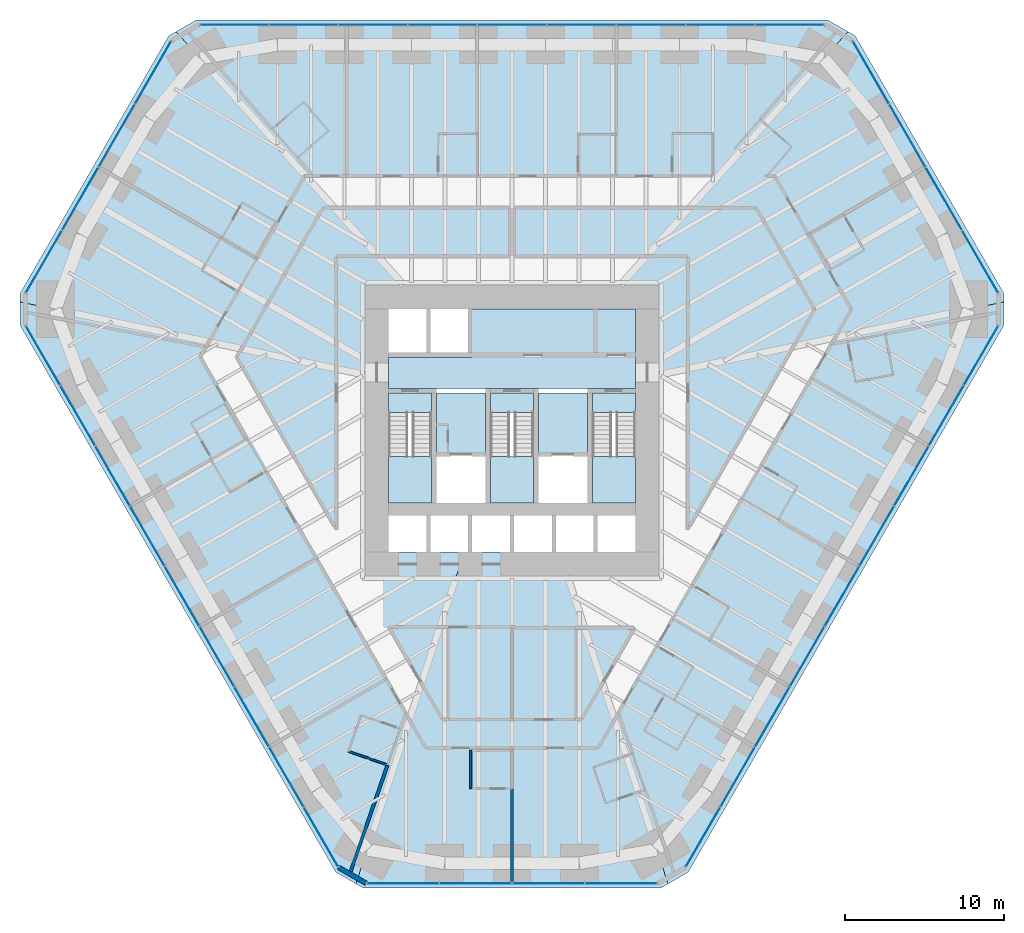
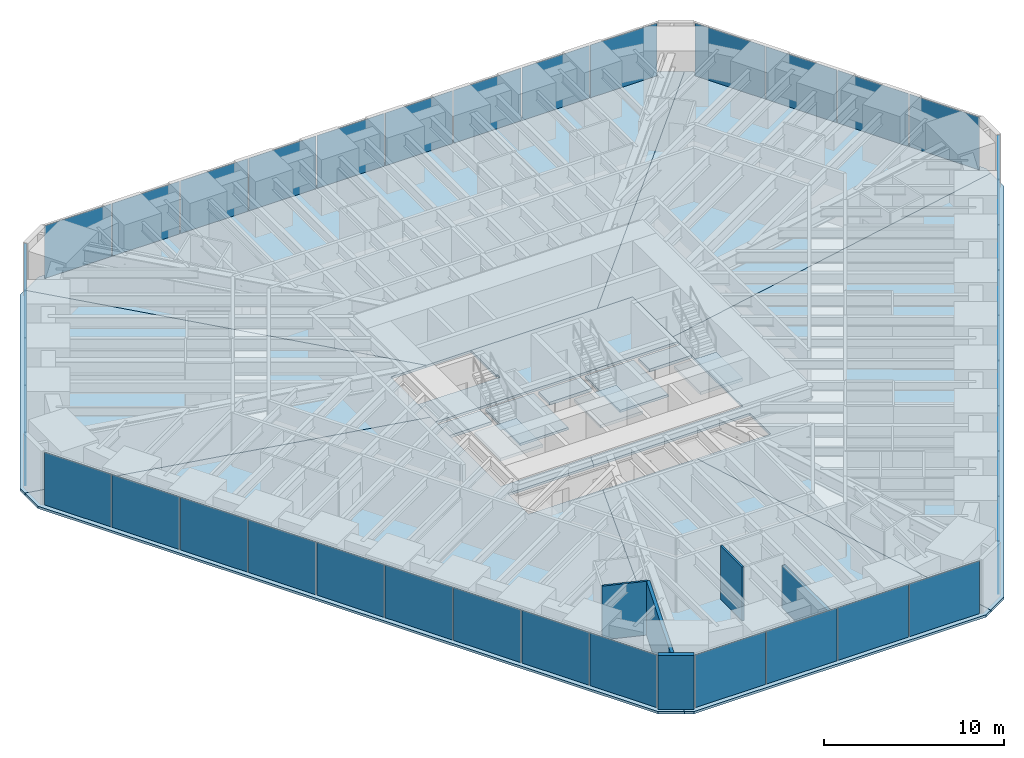
# One storey, part 10 of 17: 39 plates, 15 slabs, 5 walls, 9 elements without a shape of their own.
"""IFC4 building model written with IfcOpenShell, lengths in metres."""

from ifc_helpers import new_model, si_unit, direction, frame, frame_2d, origin, origin_2d, place, context, subcontext, project, spatial, polyline, rectangle, outline, extrude, material, layer, layer_set, type_object, element, aggregate, save


model = new_model("IFC4")

# Units and contexts
model_context = context("Model", 3, precision=1e-05, world=origin(), true_north=direction((0.0, 1.0)))
body_context = subcontext(model_context, "Body", "Model", "MODEL_VIEW")
ifc_project = project(units=[si_unit("LENGTHUNIT", "METRE"), si_unit("AREAUNIT", "SQUARE_METRE"), si_unit("VOLUMEUNIT", "CUBIC_METRE"), si_unit("PLANEANGLEUNIT", "RADIAN"), si_unit("MASSUNIT", "GRAM", prefix="KILO")], contexts=[model_context])

# Site, building, storey
site_placement = place(None, origin())
site = spatial("IfcSite", under=ifc_project, at=site_placement, CompositionType="ELEMENT")
building_placement = place(site_placement, origin())
building = spatial("IfcBuilding", under=site, at=building_placement, Name="Sandreach Pilgrim Tower", CompositionType="ELEMENT")
storey_placement = place(building_placement, frame((0.0, 0.0, 38.199951171875)))
storey = spatial("IfcBuildingStorey", under=building, at=storey_placement, Name="L08", CompositionType="ELEMENT", Elevation=38.199951171875)

# Curtain wall, plates
ifc_material_1 = material(Name="Aluminium framed curtain wall", Category="aluminium")
curtain_wall_type = type_object("IfcCurtainWallType", Name="Hostel tower curtain wall", PredefinedType="NOTDEFINED", material=ifc_material_1)
curtain_wall_1_placement = place(storey_placement, origin())
curtain_wall_1 = element("IfcCurtainWall", 1, at=curtain_wall_1_placement, inside=storey, type_object=curtain_wall_type, Name="CW-1 L08 N", PredefinedType="NOTDEFINED")
ifc_material_2 = material(Name="Insulating glass unit 6 heat-strengthened + 12 argon + 6 heat-strengthened", Category="glass")
ifc_layer_1 = layer(ifc_material_2, 0.02392578125)
ifc_layer_set_1 = layer_set([ifc_layer_1], Name="CW-1 panel")
plate_type = type_object("IfcPlateType", Name="CW-1 panel", PredefinedType="CURTAIN_PANEL", material=ifc_layer_set_1)
plate_1_placement = place(storey_placement, frame((-17.469970703125, 23.94873046875, 0.0), z_axis=(0.0, 0.0, 1.0), x_axis=(1.0, 0.0, 0.0)))
plate_1 = element("IfcPlate", 2, at=plate_1_placement, type_object=plate_type, Name="CW-1 panel 1", PredefinedType="CURTAIN_PANEL", context=body_context, shape_type="SweptSolid", body=[
    extrude(rectangle(XDim=4.274169921875, YDim=0.02392578125, at=origin_2d()), origin(), (0.0, 0.0, 1.0), 3.570068359375),
])
plate_2_placement = place(storey_placement, frame((-13.11474609375, 23.94873046875, 0.0), z_axis=(0.0, 0.0, 1.0), x_axis=(1.0, 0.0, 0.0)))
plate_2 = element("IfcPlate", 3, at=plate_2_placement, type_object=plate_type, Name="CW-1 panel 2", PredefinedType="CURTAIN_PANEL", context=body_context, shape_type="SweptSolid", body=[
    extrude(rectangle(XDim=4.306640625, YDim=0.02392578125, at=origin_2d()), origin(), (0.0, 0.0, 1.0), 3.570068359375),
])
plate_3_placement = place(storey_placement, frame((-8.7431640625, 23.94873046875, 0.0), z_axis=(0.0, 0.0, 1.0), x_axis=(1.0, 0.0, 0.0)))
plate_3 = element("IfcPlate", 4, at=plate_3_placement, type_object=plate_type, Name="CW-1 panel 3", PredefinedType="CURTAIN_PANEL", context=body_context, shape_type="SweptSolid", body=[
    extrude(rectangle(XDim=4.306640625, YDim=0.02392578125, at=origin_2d()), origin(), (0.0, 0.0, 1.0), 3.570068359375),
])
plate_4_placement = place(storey_placement, frame((-4.37158203125, 23.94873046875, 0.0), z_axis=(0.0, 0.0, 1.0), x_axis=(1.0, 0.0, 0.0)))
plate_4 = element("IfcPlate", 5, at=plate_4_placement, type_object=plate_type, Name="CW-1 panel 4", PredefinedType="CURTAIN_PANEL", context=body_context, shape_type="SweptSolid", body=[
    extrude(rectangle(XDim=4.306640625, YDim=0.02392578125, at=origin_2d()), origin(), (0.0, 0.0, 1.0), 3.570068359375),
])
plate_5_placement = place(storey_placement, frame((0.0, 23.94873046875, 0.0), z_axis=(0.0, 0.0, 1.0), x_axis=(1.0, 0.0, 0.0)))
plate_5 = element("IfcPlate", 6, at=plate_5_placement, type_object=plate_type, Name="CW-1 panel 5", PredefinedType="CURTAIN_PANEL", context=body_context, shape_type="SweptSolid", body=[
    extrude(rectangle(XDim=4.306640625, YDim=0.02392578125, at=origin_2d()), origin(), (0.0, 0.0, 1.0), 3.570068359375),
])
plate_6_placement = place(storey_placement, frame((4.37158203125, 23.94873046875, 0.0), z_axis=(0.0, 0.0, 1.0), x_axis=(1.0, 0.0, 0.0)))
plate_6 = element("IfcPlate", 7, at=plate_6_placement, type_object=plate_type, Name="CW-1 panel 6", PredefinedType="CURTAIN_PANEL", context=body_context, shape_type="SweptSolid", body=[
    extrude(rectangle(XDim=4.306640625, YDim=0.02392578125, at=origin_2d()), origin(), (0.0, 0.0, 1.0), 3.570068359375),
])
plate_7_placement = place(storey_placement, frame((8.7431640625, 23.94873046875, 0.0), z_axis=(0.0, 0.0, 1.0), x_axis=(1.0, 0.0, 0.0)))
plate_7 = element("IfcPlate", 8, at=plate_7_placement, type_object=plate_type, Name="CW-1 panel 7", PredefinedType="CURTAIN_PANEL", context=body_context, shape_type="SweptSolid", body=[
    extrude(rectangle(XDim=4.306640625, YDim=0.02392578125, at=origin_2d()), origin(), (0.0, 0.0, 1.0), 3.570068359375),
])
plate_8_placement = place(storey_placement, frame((13.11474609375, 23.94873046875, 0.0), z_axis=(0.0, 0.0, 1.0), x_axis=(1.0, 0.0, 0.0)))
plate_8 = element("IfcPlate", 9, at=plate_8_placement, type_object=plate_type, Name="CW-1 panel 8", PredefinedType="CURTAIN_PANEL", context=body_context, shape_type="SweptSolid", body=[
    extrude(rectangle(XDim=4.306640625, YDim=0.02392578125, at=origin_2d()), origin(), (0.0, 0.0, 1.0), 3.570068359375),
])
plate_9_placement = place(storey_placement, frame((17.469970703125, 23.94873046875, 0.0), z_axis=(0.0, 0.0, 1.0), x_axis=(1.0, 0.0, 0.0)))
plate_9 = element("IfcPlate", 10, at=plate_9_placement, type_object=plate_type, Name="CW-1 panel 9", PredefinedType="CURTAIN_PANEL", context=body_context, shape_type="SweptSolid", body=[
    extrude(rectangle(XDim=4.274169921875, YDim=0.02392578125, at=origin_2d()), origin(), (0.0, 0.0, 1.0), 3.570068359375),
])
aggregate(curtain_wall_1, [plate_1, plate_2, plate_3, plate_4, plate_5, plate_6, plate_7, plate_8, plate_9])

curtain_wall_2_placement = place(storey_placement, origin())
curtain_wall_2 = element("IfcCurtainWall", 11, at=curtain_wall_2_placement, inside=storey, type_object=curtain_wall_type, Name="CW-1 L08 NE", PredefinedType="NOTDEFINED")
plate_10_placement = place(storey_placement, frame((22.558837890625, 20.94873046875, 0.0), z_axis=(0.0, 0.0, 1.0), x_axis=(0.5, -0.866025403784, 0.0)))
plate_10 = element("IfcPlate", 12, at=plate_10_placement, type_object=plate_type, Name="CW-1 panel 1", PredefinedType="CURTAIN_PANEL", context=body_context, shape_type="SweptSolid", body=[
    extrude(rectangle(XDim=4.488525390625, YDim=0.02392578125, at=origin_2d()), origin(), (0.0, 0.0, 1.0), 3.570068359375),
])
plate_11_placement = place(storey_placement, frame((24.84375, 16.9912109375, 0.0), z_axis=(0.0, 0.0, 1.0), x_axis=(0.5, -0.866025403784, 0.0)))
plate_11 = element("IfcPlate", 13, at=plate_11_placement, type_object=plate_type, Name="CW-1 panel 2", PredefinedType="CURTAIN_PANEL", context=body_context, shape_type="SweptSolid", body=[
    extrude(rectangle(XDim=4.52099609375, YDim=0.02392578125, at=origin_2d()), origin(), (0.0, 0.0, 1.0), 3.570068359375),
])
plate_12_placement = place(storey_placement, frame((27.13671875, 13.01953125, 0.0), z_axis=(0.0, 0.0, 1.0), x_axis=(0.5, -0.866025403784, 0.0)))
plate_12 = element("IfcPlate", 14, at=plate_12_placement, type_object=plate_type, Name="CW-1 panel 3", PredefinedType="CURTAIN_PANEL", context=body_context, shape_type="SweptSolid", body=[
    extrude(rectangle(XDim=4.52099609375, YDim=0.02392578125, at=origin_2d()), origin(), (0.0, 0.0, 1.0), 3.570068359375),
])
plate_13_placement = place(storey_placement, frame((29.421630859375, 9.06201171875, 0.0), z_axis=(0.0, 0.0, 1.0), x_axis=(0.5, -0.866025403784, 0.0)))
plate_13 = element("IfcPlate", 15, at=plate_13_placement, type_object=plate_type, Name="CW-1 panel 4", PredefinedType="CURTAIN_PANEL", context=body_context, shape_type="SweptSolid", body=[
    extrude(rectangle(XDim=4.488525390625, YDim=0.02392578125, at=origin_2d()), origin(), (0.0, 0.0, 1.0), 3.570068359375),
])
aggregate(curtain_wall_2, [plate_10, plate_11, plate_12, plate_13])

curtain_wall_3_placement = place(storey_placement, origin())
curtain_wall_3 = element("IfcCurtainWall", 16, at=curtain_wall_3_placement, inside=storey, type_object=curtain_wall_type, Name="CW-1 L08 SE", PredefinedType="NOTDEFINED")
plate_14_placement = place(storey_placement, frame((29.475341796875, 3.1552734375, 0.0), z_axis=(0.0, 0.0, 1.0), x_axis=(-0.5, -0.866025403784, 0.0)))
plate_14 = element("IfcPlate", 17, at=plate_14_placement, type_object=plate_type, Name="CW-1 panel 1", PredefinedType="CURTAIN_PANEL", context=body_context, shape_type="SweptSolid", body=[
    extrude(rectangle(XDim=4.274169921875, YDim=0.02392578125, at=origin_2d()), origin(), (0.0, 0.0, 1.0), 3.570068359375),
])
plate_15_placement = place(storey_placement, frame((27.297607421875, -0.61669921875, 0.0), z_axis=(0.0, 0.0, 1.0), x_axis=(-0.5, -0.866025403784, 0.0)))
plate_15 = element("IfcPlate", 18, at=plate_15_placement, type_object=plate_type, Name="CW-1 panel 2", PredefinedType="CURTAIN_PANEL", context=body_context, shape_type="SweptSolid", body=[
    extrude(rectangle(XDim=4.306640625, YDim=0.02392578125, at=origin_2d()), origin(), (0.0, 0.0, 1.0), 3.570068359375),
])
plate_16_placement = place(storey_placement, frame((25.11181640625, -4.402587890625, 0.0), z_axis=(0.0, 0.0, 1.0), x_axis=(-0.5, -0.866025403784, 0.0)))
plate_16 = element("IfcPlate", 19, at=plate_16_placement, type_object=plate_type, Name="CW-1 panel 3", PredefinedType="CURTAIN_PANEL", context=body_context, shape_type="SweptSolid", body=[
    extrude(rectangle(XDim=4.306640625, YDim=0.02392578125, at=origin_2d()), origin(), (0.0, 0.0, 1.0), 3.570068359375),
])
plate_17_placement = place(storey_placement, frame((22.926025390625, -8.1884765625, 0.0), z_axis=(0.0, 0.0, 1.0), x_axis=(-0.5, -0.866025403784, 0.0)))
plate_17 = element("IfcPlate", 20, at=plate_17_placement, type_object=plate_type, Name="CW-1 panel 4", PredefinedType="CURTAIN_PANEL", context=body_context, shape_type="SweptSolid", body=[
    extrude(rectangle(XDim=4.306640625, YDim=0.02392578125, at=origin_2d()), origin(), (0.0, 0.0, 1.0), 3.570068359375),
])
plate_18_placement = place(storey_placement, frame((20.740234375, -11.974365234375, 0.0), z_axis=(0.0, 0.0, 1.0), x_axis=(-0.5, -0.866025403784, 0.0)))
plate_18 = element("IfcPlate", 21, at=plate_18_placement, type_object=plate_type, Name="CW-1 panel 5", PredefinedType="CURTAIN_PANEL", context=body_context, shape_type="SweptSolid", body=[
    extrude(rectangle(XDim=4.306640625, YDim=0.02392578125, at=origin_2d()), origin(), (0.0, 0.0, 1.0), 3.570068359375),
])
plate_19_placement = place(storey_placement, frame((18.554443359375, -15.76025390625, 0.0), z_axis=(0.0, 0.0, 1.0), x_axis=(-0.5, -0.866025403784, 0.0)))
plate_19 = element("IfcPlate", 22, at=plate_19_placement, type_object=plate_type, Name="CW-1 panel 6", PredefinedType="CURTAIN_PANEL", context=body_context, shape_type="SweptSolid", body=[
    extrude(rectangle(XDim=4.306640625, YDim=0.02392578125, at=origin_2d()), origin(), (0.0, 0.0, 1.0), 3.570068359375),
])
plate_20_placement = place(storey_placement, frame((16.36865234375, -19.546142578125, 0.0), z_axis=(0.0, 0.0, 1.0), x_axis=(-0.5, -0.866025403784, 0.0)))
plate_20 = element("IfcPlate", 23, at=plate_20_placement, type_object=plate_type, Name="CW-1 panel 7", PredefinedType="CURTAIN_PANEL", context=body_context, shape_type="SweptSolid", body=[
    extrude(rectangle(XDim=4.306640625, YDim=0.02392578125, at=origin_2d()), origin(), (0.0, 0.0, 1.0), 3.570068359375),
])
plate_21_placement = place(storey_placement, frame((14.182861328125, -23.33203125, 0.0), z_axis=(0.0, 0.0, 1.0), x_axis=(-0.5, -0.866025403784, 0.0)))
plate_21 = element("IfcPlate", 24, at=plate_21_placement, type_object=plate_type, Name="CW-1 panel 8", PredefinedType="CURTAIN_PANEL", context=body_context, shape_type="SweptSolid", body=[
    extrude(rectangle(XDim=4.306640625, YDim=0.02392578125, at=origin_2d()), origin(), (0.0, 0.0, 1.0), 3.570068359375),
])
plate_22_placement = place(storey_placement, frame((12.005126953125, -27.103759765625, 0.0), z_axis=(0.0, 0.0, 1.0), x_axis=(-0.5, -0.866025403784, 0.0)))
plate_22 = element("IfcPlate", 25, at=plate_22_placement, type_object=plate_type, Name="CW-1 panel 9", PredefinedType="CURTAIN_PANEL", context=body_context, shape_type="SweptSolid", body=[
    extrude(rectangle(XDim=4.274169921875, YDim=0.02392578125, at=origin_2d()), origin(), (0.0, 0.0, 1.0), 3.570068359375),
])
aggregate(curtain_wall_3, [plate_14, plate_15, plate_16, plate_17, plate_18, plate_19, plate_20, plate_21, plate_22])

curtain_wall_4_placement = place(storey_placement, origin())
curtain_wall_4 = element("IfcCurtainWall", 26, at=curtain_wall_4_placement, inside=storey, type_object=curtain_wall_type, Name="CW-1 L08 S", PredefinedType="NOTDEFINED")
plate_23_placement = place(storey_placement, frame((6.86279296875, -30.010986328125, 0.0), z_axis=(0.0, 0.0, 1.0), x_axis=(-1.0, 0.0, 0.0)))
plate_23 = element("IfcPlate", 27, at=plate_23_placement, type_object=plate_type, Name="CW-1 panel 1", PredefinedType="CURTAIN_PANEL", context=body_context, shape_type="SweptSolid", body=[
    extrude(rectangle(XDim=4.488525390625, YDim=0.02392578125, at=origin_2d()), origin(), (0.0, 0.0, 1.0), 3.570068359375),
])
plate_24_placement = place(storey_placement, frame((2.29296875, -30.010986328125, 0.0), z_axis=(0.0, 0.0, 1.0), x_axis=(-1.0, 0.0, 0.0)))
plate_24 = element("IfcPlate", 28, at=plate_24_placement, type_object=plate_type, Name="CW-1 panel 2", PredefinedType="CURTAIN_PANEL", context=body_context, shape_type="SweptSolid", body=[
    extrude(rectangle(XDim=4.52099609375, YDim=0.02392578125, at=origin_2d()), origin(), (0.0, 0.0, 1.0), 3.570068359375),
])
plate_25_placement = place(storey_placement, frame((-2.29296875, -30.010986328125, 0.0), z_axis=(0.0, 0.0, 1.0), x_axis=(-1.0, 0.0, 0.0)))
plate_25 = element("IfcPlate", 29, at=plate_25_placement, type_object=plate_type, Name="CW-1 panel 3", PredefinedType="CURTAIN_PANEL", context=body_context, shape_type="SweptSolid", body=[
    extrude(rectangle(XDim=4.52099609375, YDim=0.02392578125, at=origin_2d()), origin(), (0.0, 0.0, 1.0), 3.570068359375),
])
plate_26_placement = place(storey_placement, frame((-6.86279296875, -30.010986328125, 0.0), z_axis=(0.0, 0.0, 1.0), x_axis=(-1.0, 0.0, 0.0)))
plate_26 = element("IfcPlate", 30, at=plate_26_placement, type_object=plate_type, Name="CW-1 panel 4", PredefinedType="CURTAIN_PANEL", context=body_context, shape_type="SweptSolid", body=[
    extrude(rectangle(XDim=4.488525390625, YDim=0.02392578125, at=origin_2d()), origin(), (0.0, 0.0, 1.0), 3.570068359375),
])
aggregate(curtain_wall_4, [plate_23, plate_24, plate_25, plate_26])

curtain_wall_5_placement = place(storey_placement, origin())
curtain_wall_5 = element("IfcCurtainWall", 31, at=curtain_wall_5_placement, inside=storey, type_object=curtain_wall_type, Name="CW-1 L08 SW", PredefinedType="NOTDEFINED")
plate_27_placement = place(storey_placement, frame((-12.005126953125, -27.103759765625, 0.0), z_axis=(0.0, 0.0, 1.0), x_axis=(-0.5, 0.866025403784, 0.0)))
plate_27 = element("IfcPlate", 32, at=plate_27_placement, type_object=plate_type, Name="CW-1 panel 1", PredefinedType="CURTAIN_PANEL", context=body_context, shape_type="SweptSolid", body=[
    extrude(rectangle(XDim=4.274169921875, YDim=0.02392578125, at=origin_2d()), origin(), (0.0, 0.0, 1.0), 3.570068359375),
])
plate_28_placement = place(storey_placement, frame((-14.182861328125, -23.33203125, 0.0), z_axis=(0.0, 0.0, 1.0), x_axis=(-0.5, 0.866025403784, 0.0)))
plate_28 = element("IfcPlate", 33, at=plate_28_placement, type_object=plate_type, Name="CW-1 panel 2", PredefinedType="CURTAIN_PANEL", context=body_context, shape_type="SweptSolid", body=[
    extrude(rectangle(XDim=4.306640625, YDim=0.02392578125, at=origin_2d()), origin(), (0.0, 0.0, 1.0), 3.570068359375),
])
plate_29_placement = place(storey_placement, frame((-16.36865234375, -19.546142578125, 0.0), z_axis=(0.0, 0.0, 1.0), x_axis=(-0.5, 0.866025403784, 0.0)))
plate_29 = element("IfcPlate", 34, at=plate_29_placement, type_object=plate_type, Name="CW-1 panel 3", PredefinedType="CURTAIN_PANEL", context=body_context, shape_type="SweptSolid", body=[
    extrude(rectangle(XDim=4.306640625, YDim=0.02392578125, at=origin_2d()), origin(), (0.0, 0.0, 1.0), 3.570068359375),
])
plate_30_placement = place(storey_placement, frame((-18.554443359375, -15.76025390625, 0.0), z_axis=(0.0, 0.0, 1.0), x_axis=(-0.5, 0.866025403784, 0.0)))
plate_30 = element("IfcPlate", 35, at=plate_30_placement, type_object=plate_type, Name="CW-1 panel 4", PredefinedType="CURTAIN_PANEL", context=body_context, shape_type="SweptSolid", body=[
    extrude(rectangle(XDim=4.306640625, YDim=0.02392578125, at=origin_2d()), origin(), (0.0, 0.0, 1.0), 3.570068359375),
])
plate_31_placement = place(storey_placement, frame((-20.740234375, -11.974365234375, 0.0), z_axis=(0.0, 0.0, 1.0), x_axis=(-0.5, 0.866025403784, 0.0)))
plate_31 = element("IfcPlate", 36, at=plate_31_placement, type_object=plate_type, Name="CW-1 panel 5", PredefinedType="CURTAIN_PANEL", context=body_context, shape_type="SweptSolid", body=[
    extrude(rectangle(XDim=4.306640625, YDim=0.02392578125, at=origin_2d()), origin(), (0.0, 0.0, 1.0), 3.570068359375),
])
plate_32_placement = place(storey_placement, frame((-22.926025390625, -8.1884765625, 0.0), z_axis=(0.0, 0.0, 1.0), x_axis=(-0.5, 0.866025403784, 0.0)))
plate_32 = element("IfcPlate", 37, at=plate_32_placement, type_object=plate_type, Name="CW-1 panel 6", PredefinedType="CURTAIN_PANEL", context=body_context, shape_type="SweptSolid", body=[
    extrude(rectangle(XDim=4.306640625, YDim=0.02392578125, at=origin_2d()), origin(), (0.0, 0.0, 1.0), 3.570068359375),
])
plate_33_placement = place(storey_placement, frame((-25.11181640625, -4.402587890625, 0.0), z_axis=(0.0, 0.0, 1.0), x_axis=(-0.5, 0.866025403784, 0.0)))
plate_33 = element("IfcPlate", 38, at=plate_33_placement, type_object=plate_type, Name="CW-1 panel 7", PredefinedType="CURTAIN_PANEL", context=body_context, shape_type="SweptSolid", body=[
    extrude(rectangle(XDim=4.306640625, YDim=0.02392578125, at=origin_2d()), origin(), (0.0, 0.0, 1.0), 3.570068359375),
])
plate_34_placement = place(storey_placement, frame((-27.297607421875, -0.61669921875, 0.0), z_axis=(0.0, 0.0, 1.0), x_axis=(-0.5, 0.866025403784, 0.0)))
plate_34 = element("IfcPlate", 39, at=plate_34_placement, type_object=plate_type, Name="CW-1 panel 8", PredefinedType="CURTAIN_PANEL", context=body_context, shape_type="SweptSolid", body=[
    extrude(rectangle(XDim=4.306640625, YDim=0.02392578125, at=origin_2d()), origin(), (0.0, 0.0, 1.0), 3.570068359375),
])
plate_35_placement = place(storey_placement, frame((-29.475341796875, 3.1552734375, 0.0), z_axis=(0.0, 0.0, 1.0), x_axis=(-0.5, 0.866025403784, 0.0)))
plate_35 = element("IfcPlate", 40, at=plate_35_placement, type_object=plate_type, Name="CW-1 panel 9", PredefinedType="CURTAIN_PANEL", context=body_context, shape_type="SweptSolid", body=[
    extrude(rectangle(XDim=4.274169921875, YDim=0.02392578125, at=origin_2d()), origin(), (0.0, 0.0, 1.0), 3.570068359375),
])
aggregate(curtain_wall_5, [plate_27, plate_28, plate_29, plate_30, plate_31, plate_32, plate_33, plate_34, plate_35])

curtain_wall_6_placement = place(storey_placement, origin())
curtain_wall_6 = element("IfcCurtainWall", 41, at=curtain_wall_6_placement, inside=storey, type_object=curtain_wall_type, Name="CW-1 L08 NW", PredefinedType="NOTDEFINED")
plate_36_placement = place(storey_placement, frame((-29.421630859375, 9.06201171875, 0.0), z_axis=(0.0, 0.0, 1.0), x_axis=(0.5, 0.866025403784, 0.0)))
plate_36 = element("IfcPlate", 42, at=plate_36_placement, type_object=plate_type, Name="CW-1 panel 1", PredefinedType="CURTAIN_PANEL", context=body_context, shape_type="SweptSolid", body=[
    extrude(rectangle(XDim=4.488525390625, YDim=0.02392578125, at=origin_2d()), origin(), (0.0, 0.0, 1.0), 3.570068359375),
])
plate_37_placement = place(storey_placement, frame((-27.13671875, 13.01953125, 0.0), z_axis=(0.0, 0.0, 1.0), x_axis=(0.5, 0.866025403784, 0.0)))
plate_37 = element("IfcPlate", 43, at=plate_37_placement, type_object=plate_type, Name="CW-1 panel 2", PredefinedType="CURTAIN_PANEL", context=body_context, shape_type="SweptSolid", body=[
    extrude(rectangle(XDim=4.52099609375, YDim=0.02392578125, at=origin_2d()), origin(), (0.0, 0.0, 1.0), 3.570068359375),
])
plate_38_placement = place(storey_placement, frame((-24.84375, 16.9912109375, 0.0), z_axis=(0.0, 0.0, 1.0), x_axis=(0.5, 0.866025403784, 0.0)))
plate_38 = element("IfcPlate", 44, at=plate_38_placement, type_object=plate_type, Name="CW-1 panel 3", PredefinedType="CURTAIN_PANEL", context=body_context, shape_type="SweptSolid", body=[
    extrude(rectangle(XDim=4.52099609375, YDim=0.02392578125, at=origin_2d()), origin(), (0.0, 0.0, 1.0), 3.570068359375),
])
plate_39_placement = place(storey_placement, frame((-22.558837890625, 20.94873046875, 0.0), z_axis=(0.0, 0.0, 1.0), x_axis=(0.5, 0.866025403784, 0.0)))
plate_39 = element("IfcPlate", 45, at=plate_39_placement, type_object=plate_type, Name="CW-1 panel 4", PredefinedType="CURTAIN_PANEL", context=body_context, shape_type="SweptSolid", body=[
    extrude(rectangle(XDim=4.488525390625, YDim=0.02392578125, at=origin_2d()), origin(), (0.0, 0.0, 1.0), 3.570068359375),
])
aggregate(curtain_wall_6, [plate_36, plate_37, plate_38, plate_39])

# Slabs
ifc_material_3 = material(Name="Concrete 8000 psi", Category="concrete")
ifc_layer_2 = layer(ifc_material_3, 0.159912109375)
ifc_layer_set_2 = layer_set([ifc_layer_2], Name="Composite floor slab 160")
slab_type_1 = type_object("IfcSlabType", Name="Composite floor slab 160", PredefinedType="FLOOR", material=ifc_layer_set_2)
slab_1_placement = place(storey_placement, frame((0.0, 0.0, -0.159912109375)))
element("IfcSlab", 46, at=slab_1_placement, inside=storey, type_object=slab_type_1, Name="Floor slab L08 N sector", PredefinedType="FLOOR", context=body_context, shape_type="SweptSolid", body=[
    extrude(outline(polyline([(-19.84521484375, 24.248779296875), (19.84521484375, 24.248779296875), (21.115478515625, 23.515380859375), (5.477294921875, 6.10009765625), (-5.477294921875, 6.10009765625), (-21.115478515625, 23.515380859375), (-19.84521484375, 24.248779296875)])), origin(), (0.0, 0.0, 1.0), 0.159912109375),
])
slab_2_placement = place(storey_placement, frame((0.0, 0.0, -0.159912109375)))
element("IfcSlab", 47, at=slab_2_placement, inside=storey, type_object=slab_type_1, Name="Floor slab L08 NE sector", PredefinedType="FLOOR", context=body_context, shape_type="SweptSolid", body=[
    extrude(outline(polyline([(21.577392578125, 23.248779296875), (30.922607421875, 7.062255859375), (30.922607421875, 6.52880859375), (7.75, 1.63623046875), (7.75, 6.10009765625), (5.477294921875, 6.10009765625), (21.115478515625, 23.515380859375), (21.577392578125, 23.248779296875)])), origin(), (0.0, 0.0, 1.0), 0.159912109375),
])
slab_3_placement = place(storey_placement, frame((0.0, 0.0, -0.159912109375)))
element("IfcSlab", 48, at=slab_3_placement, inside=storey, type_object=slab_type_1, Name="Floor slab L08 SE sector", PredefinedType="FLOOR", context=body_context, shape_type="SweptSolid", body=[
    extrude(outline(polyline([(11.077392578125, -29.310791015625), (9.80712890625, -30.044189453125), (3.003173828125, -9.199951171875), (7.75, -9.199951171875), (7.75, -6.89990234375), (-2.252197265625, -6.89990234375), (-1.9912109375, -6.10009765625), (7.75, -6.10009765625), (7.75, 1.63623046875), (30.922607421875, 6.52880859375), (30.922607421875, 5.062255859375), (11.077392578125, -29.310791015625)])), origin(), (0.0, 0.0, 1.0), 0.159912109375),
])
slab_4_placement = place(storey_placement, frame((0.0, 0.0, -0.159912109375)))
element("IfcSlab", 49, at=slab_4_placement, inside=storey, type_object=slab_type_1, Name="Floor slab L08 S sector", PredefinedType="FLOOR", context=body_context, shape_type="SweptSolid", body=[
    extrude(outline(polyline([(9.34521484375, -30.310791015625), (-9.34521484375, -30.310791015625), (-9.80712890625, -30.044189453125), (-3.003173828125, -9.199951171875), (3.003173828125, -9.199951171875), (9.80712890625, -30.044189453125), (9.34521484375, -30.310791015625)])), origin(), (0.0, 0.0, 1.0), 0.159912109375),
])
slab_5_placement = place(storey_placement, frame((0.0, 0.0, -0.159912109375)))
element("IfcSlab", 50, at=slab_5_placement, inside=storey, type_object=slab_type_1, Name="Floor slab L08 SW sector", PredefinedType="FLOOR", context=body_context, shape_type="SweptSolid", body=[
    extrude(outline(polyline([(-11.077392578125, -29.310791015625), (-30.922607421875, 5.062255859375), (-30.922607421875, 6.52880859375), (-7.75, 1.63623046875), (-7.75, -6.10009765625), (-1.9912109375, -6.10009765625), (-2.252197265625, -6.89990234375), (-7.75, -6.89990234375), (-7.75, -9.199951171875), (-3.003173828125, -9.199951171875), (-9.80712890625, -30.044189453125), (-11.077392578125, -29.310791015625)])), origin(), (0.0, 0.0, 1.0), 0.159912109375),
])
slab_6_placement = place(storey_placement, frame((0.0, 0.0, -0.159912109375)))
element("IfcSlab", 51, at=slab_6_placement, inside=storey, type_object=slab_type_1, Name="Floor slab L08 NW sector", PredefinedType="FLOOR", context=body_context, shape_type="SweptSolid", body=[
    extrude(outline(polyline([(-30.922607421875, 7.062255859375), (-21.577392578125, 23.248779296875), (-21.115478515625, 23.515380859375), (-5.477294921875, 6.10009765625), (-7.75, 6.10009765625), (-7.75, 1.63623046875), (-30.922607421875, 6.52880859375), (-30.922607421875, 7.062255859375)])), origin(), (0.0, 0.0, 1.0), 0.159912109375),
])
slab_7_placement = place(storey_placement, frame((0.0, 0.0, -0.159912109375)))
element("IfcSlab", 52, at=slab_7_placement, inside=storey, type_object=slab_type_1, Name="Core floor slab and stores L08", PredefinedType="FLOOR", context=body_context, shape_type="SweptSolid", body=[
    extrude(outline(polyline([(-7.75, 3.050048828125), (-5.375, 3.050048828125), (-5.125, 3.050048828125), (-2.5, 3.050048828125), (-2.5, 3.35009765625), (-2.60009765625, 3.35009765625), (-2.60009765625, 6.10009765625), (7.75, 6.10009765625), (7.75, 1.10009765625), (5.050048828125, 1.10009765625), (4.75, 1.10009765625), (1.64990234375, 1.10009765625), (1.35009765625, 1.10009765625), (-1.35009765625, 1.10009765625), (-1.64990234375, 1.10009765625), (-4.75, 1.10009765625), (-5.050048828125, 1.10009765625), (-7.75, 1.10009765625), (-7.75, 3.050048828125)])), origin(), (0.0, 0.0, 1.0), 0.159912109375),
])
slab_8_placement = place(storey_placement, frame((0.0, 0.0, -0.159912109375)))
element("IfcSlab", 53, at=slab_8_placement, inside=storey, type_object=slab_type_1, Name="Core floor slab and stores L08 2", PredefinedType="FLOOR", context=body_context, shape_type="SweptSolid", body=[
    extrude(outline(polyline([(-1.64990234375, -3.050048828125), (-4.75, -3.050048828125), (-4.75, 0.800048828125), (-1.64990234375, 0.800048828125), (-1.64990234375, -3.050048828125)])), origin(), (0.0, 0.0, 1.0), 0.159912109375),
])
slab_9_placement = place(storey_placement, frame((0.0, 0.0, -0.159912109375)))
element("IfcSlab", 54, at=slab_9_placement, inside=storey, type_object=slab_type_1, Name="Core floor slab and stores L08 3", PredefinedType="FLOOR", context=body_context, shape_type="SweptSolid", body=[
    extrude(outline(polyline([(4.75, -3.050048828125), (1.64990234375, -3.050048828125), (1.64990234375, 0.800048828125), (4.75, 0.800048828125), (4.75, -3.050048828125)])), origin(), (0.0, 0.0, 1.0), 0.159912109375),
])

# Stair, slabs
ifc_material_4 = material(Name="Concrete 8000 psi", Category="concrete")
stair_type = type_object("IfcStairType", Name="Core exit stair", PredefinedType="HALF_TURN_STAIR", material=ifc_material_4)
stair_1_placement = place(storey_placement, origin())
stair_1 = element("IfcStair", 55, at=stair_1_placement, inside=storey, type_object=stair_type, Name="Exit stair ST1 L08", PredefinedType="HALF_TURN_STAIR")
ifc_material_5 = material(Name="Concrete 8000 psi", Category="concrete")
ifc_layer_3 = layer(ifc_material_5, 0.199951171875)
ifc_layer_set_3 = layer_set([ifc_layer_3], Name="Core stair landing 200")
slab_type_2 = type_object("IfcSlabType", Name="Core stair landing 200", PredefinedType="LANDING", material=ifc_layer_set_3)
slab_10_placement = place(storey_placement, frame((0.0, 0.0, -0.199951171875)))
slab_10 = element("IfcSlab", 56, at=slab_10_placement, type_object=slab_type_2, Name="ST1 landing 1", PredefinedType="LANDING", context=body_context, shape_type="SweptSolid", body=[
    extrude(outline(polyline([(-7.75, -0.425048828125), (-5.050048828125, -0.425048828125), (-5.050048828125, 0.800048828125), (-7.75, 0.800048828125), (-7.75, -0.425048828125)])), origin(), (0.0, 0.0, 1.0), 0.199951171875),
])
slab_11_placement = place(storey_placement, frame((0.0, 0.0, 1.699951171875)))
slab_11 = element("IfcSlab", 57, at=slab_11_placement, type_object=slab_type_2, Name="ST1 landing 2", PredefinedType="LANDING", context=body_context, shape_type="SweptSolid", body=[
    extrude(outline(polyline([(-7.75, -6.10009765625), (-5.050048828125, -6.10009765625), (-5.050048828125, -3.175048828125), (-7.75, -3.175048828125), (-7.75, -6.10009765625)])), origin(), (0.0, 0.0, 1.0), 0.2001953125),
])
aggregate(stair_1, [slab_10, slab_11])

stair_2_placement = place(storey_placement, origin())
stair_2 = element("IfcStair", 58, at=stair_2_placement, inside=storey, type_object=stair_type, Name="Exit stair ST3 L08", PredefinedType="HALF_TURN_STAIR")
slab_12_placement = place(storey_placement, frame((0.0, 0.0, -0.199951171875)))
slab_12 = element("IfcSlab", 59, at=slab_12_placement, type_object=slab_type_2, Name="ST3 landing 1", PredefinedType="LANDING", context=body_context, shape_type="SweptSolid", body=[
    extrude(outline(polyline([(-1.35009765625, -0.425048828125), (1.35009765625, -0.425048828125), (1.35009765625, 0.800048828125), (-1.35009765625, 0.800048828125), (-1.35009765625, -0.425048828125)])), origin(), (0.0, 0.0, 1.0), 0.199951171875),
])
slab_13_placement = place(storey_placement, frame((0.0, 0.0, 1.699951171875)))
slab_13 = element("IfcSlab", 60, at=slab_13_placement, type_object=slab_type_2, Name="ST3 landing 2", PredefinedType="LANDING", context=body_context, shape_type="SweptSolid", body=[
    extrude(outline(polyline([(-1.35009765625, -6.10009765625), (1.35009765625, -6.10009765625), (1.35009765625, -3.175048828125), (-1.35009765625, -3.175048828125), (-1.35009765625, -6.10009765625)])), origin(), (0.0, 0.0, 1.0), 0.2001953125),
])
aggregate(stair_2, [slab_12, slab_13])

stair_3_placement = place(storey_placement, origin())
stair_3 = element("IfcStair", 61, at=stair_3_placement, inside=storey, type_object=stair_type, Name="Exit stair ST2 L08", PredefinedType="HALF_TURN_STAIR")
slab_14_placement = place(storey_placement, frame((0.0, 0.0, -0.199951171875)))
slab_14 = element("IfcSlab", 62, at=slab_14_placement, type_object=slab_type_2, Name="ST2 landing 1", PredefinedType="LANDING", context=body_context, shape_type="SweptSolid", body=[
    extrude(outline(polyline([(5.050048828125, -0.425048828125), (7.75, -0.425048828125), (7.75, 0.800048828125), (5.050048828125, 0.800048828125), (5.050048828125, -0.425048828125)])), origin(), (0.0, 0.0, 1.0), 0.199951171875),
])
slab_15_placement = place(storey_placement, frame((0.0, 0.0, 1.699951171875)))
slab_15 = element("IfcSlab", 63, at=slab_15_placement, type_object=slab_type_2, Name="ST2 landing 2", PredefinedType="LANDING", context=body_context, shape_type="SweptSolid", body=[
    extrude(outline(polyline([(5.050048828125, -6.10009765625), (7.75, -6.10009765625), (7.75, -3.175048828125), (5.050048828125, -3.175048828125), (5.050048828125, -6.10009765625)])), origin(), (0.0, 0.0, 1.0), 0.2001953125),
])
aggregate(stair_3, [slab_14, slab_15])

# Walls
ifc_material_6 = material(Name="Moisture-resistant gypsum board on steel studs", Category="steel")
ifc_layer_4 = layer(ifc_material_6, 0.1201171875)
ifc_layer_set_4 = layer_set([ifc_layer_4], Name="Bathroom partition 120")
wall_type_1 = type_object("IfcWallType", Name="Bathroom partition 120", PredefinedType="PARTITIONING", material=ifc_layer_set_4)
wall_1_placement = place(storey_placement, frame((-10.280029296875, -21.719970703125, 0.0), z_axis=(0.0, 0.0, 1.0), x_axis=(0.94515546045, -0.326620813149, 0.0)))
element("IfcWall", 64, at=wall_1_placement, inside=storey, type_object=wall_type_1, Name="Bathroom partition L08-041", PredefinedType="PARTITIONING", context=body_context, shape_type="SweptSolid", body=[
    extrude(rectangle(XDim=2.602783203125, YDim=0.1201171875, at=frame_2d((1.30126953125, 0.0))), origin(), (0.0, 0.0, 1.0), 3.64013671875),
])
wall_2_placement = place(storey_placement, frame((-2.60009765625, -21.659912109375, 0.0), z_axis=(0.0, 0.0, 1.0), x_axis=(0.0, -1.0, 0.0)))
element("IfcWall", 65, at=wall_2_placement, inside=storey, type_object=wall_type_1, Name="Bathroom partition L08-056", PredefinedType="PARTITIONING", context=body_context, shape_type="SweptSolid", body=[
    extrude(rectangle(XDim=2.400146484375, YDim=0.1201171875, at=frame_2d((1.2001953125, 0.0))), origin(), (0.0, 0.0, 1.0), 3.64013671875),
])
ifc_material_7 = material(Name="Double steel stud acoustic wall, gypsum board", Category="steel")
ifc_layer_5 = layer(ifc_material_7, 0.199951171875)
ifc_layer_set_5 = layer_set([ifc_layer_5], Name="Party wall 200")
wall_type_2 = type_object("IfcWallType", Name="Party wall 200", PredefinedType="PARTITIONING", material=ifc_layer_set_5)
wall_3_placement = place(storey_placement, frame((-10.2001953125, -29.441650390625, 0.0), z_axis=(0.0, 0.0, 1.0), x_axis=(0.327154379454, 0.944970905374, 0.0)))
element("IfcWall", 66, at=wall_3_placement, inside=storey, type_object=wall_type_2, Name="Party wall L08-042", PredefinedType="PARTITIONING", context=body_context, shape_type="SweptSolid", body=[
    extrude(rectangle(XDim=7.272216796875, YDim=0.199951171875, at=frame_2d((3.63623046875, 0.0))), origin(), (0.0, 0.0, 1.0), 3.64013671875),
])
wall_4_placement = place(storey_placement, frame((0.0, -29.889892578125, 0.0), z_axis=(0.0, 0.0, 1.0), x_axis=(0.0, 1.0, 0.0)))
element("IfcWall", 67, at=wall_4_placement, inside=storey, type_object=wall_type_2, Name="Party wall L08-063", PredefinedType="PARTITIONING", context=body_context, shape_type="SweptSolid", body=[
    extrude(rectangle(XDim=5.829833984375, YDim=0.199951171875, at=frame_2d((2.9150390625, 0.0))), origin(), (0.0, 0.0, 1.0), 2.8603515625),
])
ifc_material_8 = material(Name="Terracotta rainscreen on concrete", Category="masonry")
ifc_layer_6 = layer(ifc_material_8, 0.300048828125)
ifc_layer_set_6 = layer_set([ifc_layer_6], Name="Terracotta chamfer pier")
wall_type_3 = type_object("IfcWallType", Name="Terracotta chamfer pier", PredefinedType="SOLIDWALL", material=ifc_layer_set_6)
wall_5_placement = place(storey_placement, frame((-9.172119140625, -30.010986328125, 0.0), z_axis=(0.0, 0.0, 1.0), x_axis=(-0.866010750942, 0.50002537861, 0.0)))
element("IfcWall", 68, at=wall_5_placement, inside=storey, type_object=wall_type_3, Name="Chamfer pier L08 S", PredefinedType="SOLIDWALL", context=body_context, shape_type="SweptSolid", body=[
    extrude(rectangle(XDim=2.0, YDim=0.300048828125, at=frame_2d((1.0, 0.0))), origin(), (0.0, 0.0, 1.0), 3.64013671875),
])

save(model, "model.ifc")
